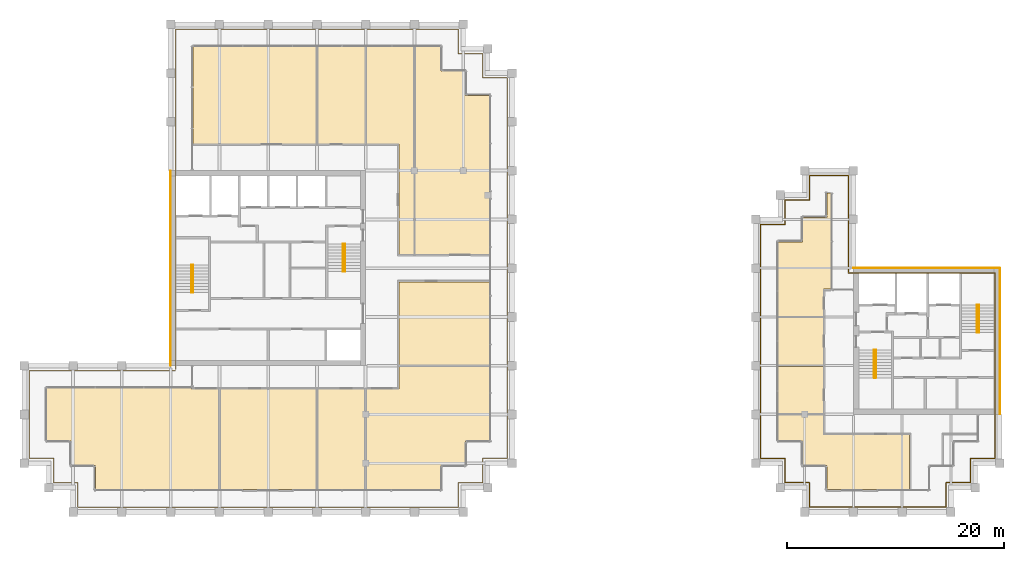
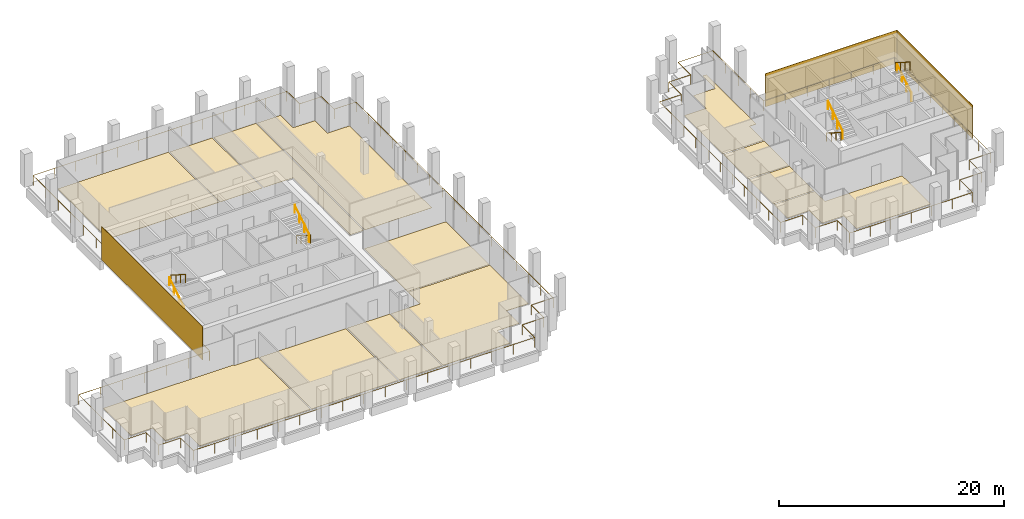
# One storey, part 40 of 40: 16 coverings, 10 railings.
"""IFC4 building model written with IfcOpenShell, lengths in metres."""

from ifc_helpers import new_model, si_unit, direction, frame, origin, origin_2d, place, context, subcontext, project, spatial, polyline, rectangle, circle, outline, extrude, source, transform, mapped, material, layer, layer_set, type_object, element, save


model = new_model("IFC4")

# Units and contexts
model_context = context("Model", 3, precision=1e-05, world=origin(), true_north=direction((0.0, 1.0)))
body_context = subcontext(model_context, "Body", "Model", "MODEL_VIEW")
ifc_project = project(units=[si_unit("LENGTHUNIT", "METRE"), si_unit("AREAUNIT", "SQUARE_METRE"), si_unit("VOLUMEUNIT", "CUBIC_METRE"), si_unit("PLANEANGLEUNIT", "RADIAN"), si_unit("MASSUNIT", "GRAM", prefix="KILO")], contexts=[model_context])

# Site, building, storey
site_placement = place(None, origin())
site = spatial("IfcSite", under=ifc_project, at=site_placement, CompositionType="ELEMENT")
building_placement = place(site_placement, origin())
building = spatial("IfcBuilding", under=site, at=building_placement, Name="Altepetl Exchange Towers", CompositionType="ELEMENT")
storey_placement = place(building_placement, frame((0.0, 0.0, 202.800048828125)))
storey = spatial("IfcBuildingStorey", under=building, at=storey_placement, Name="L51", CompositionType="ELEMENT", Elevation=202.800048828125)

# Coverings
ifc_material_1 = material(Name="Carpet tile")
ifc_layer_1 = layer(ifc_material_1, 0.02001953125)
ifc_layer_set_1 = layer_set([ifc_layer_1], Name="Carpet tile")
covering_type_1 = type_object("IfcCoveringType", Name="Carpet tile floor", PredefinedType="FLOORING", material=ifc_layer_set_1)
covering_1_placement = place(storey_placement, origin())
element("IfcCovering", 1, at=covering_1_placement, inside=storey, type_object=covering_type_1, Name="Open office floor finish A51.02", PredefinedType="FLOORING", context=body_context, shape_type="SweptSolid", body=[
    extrude(outline(polyline([(45.0625, 38.33740234375), (45.0625, 29.0625), (53.9375, 29.0625), (53.9375, 38.33740234375), (45.0625, 38.33740234375)])), origin(), (0.0, 0.0, 1.0), 0.02001953125),
])
covering_2_placement = place(storey_placement, origin())
element("IfcCovering", 2, at=covering_2_placement, inside=storey, type_object=covering_type_1, Name="Open office floor finish A51.06", PredefinedType="FLOORING", context=body_context, shape_type="SweptSolid", body=[
    extrude(outline(polyline([(65.4375, 67.6875), (65.4375, 69.9375), (63.0625, 69.9375), (63.0625, 50.762451171875), (69.9375, 50.762451171875), (69.9375, 65.4375), (67.6875, 65.4375), (67.6875, 67.6875), (65.4375, 67.6875)])), origin(), (0.0, 0.0, 1.0), 0.02001953125),
])
covering_3_placement = place(storey_placement, origin())
element("IfcCovering", 3, at=covering_3_placement, inside=storey, type_object=covering_type_1, Name="Meeting room floor finish A51.07", PredefinedType="FLOORING", context=body_context, shape_type="SweptSolid", body=[
    extrude(outline(polyline([(62.9375, 50.762451171875), (62.9375, 69.9375), (58.5625, 69.9375), (58.5625, 60.96240234375), (61.5625, 60.96240234375), (61.5625, 50.762451171875), (62.9375, 50.762451171875)])), origin(), (0.0, 0.0, 1.0), 0.02001953125),
])
covering_4_placement = place(storey_placement, origin())
element("IfcCovering", 4, at=covering_4_placement, inside=storey, type_object=covering_type_1, Name="Pantry floor finish A51.08", PredefinedType="FLOORING", context=body_context, shape_type="SweptSolid", body=[
    extrude(outline(polyline([(58.4375, 60.96240234375), (58.4375, 69.9375), (54.0625, 69.9375), (54.0625, 60.96240234375), (58.4375, 60.96240234375)])), origin(), (0.0, 0.0, 1.0), 0.02001953125),
])
covering_5_placement = place(storey_placement, origin())
element("IfcCovering", 5, at=covering_5_placement, inside=storey, type_object=covering_type_1, Name="Fund office floor finish B51.01", PredefinedType="FLOORING", context=body_context, shape_type="SweptSolid", body=[
    extrude(outline(polyline([(100.737548828125, 44.9375), (96.5625, 44.9375), (96.5625, 40.5625), (100.737548828125, 40.5625), (100.737548828125, 44.9375)])), origin(), (0.0, 0.0, 1.0), 0.02001953125),
])
covering_6_placement = place(storey_placement, origin())
element("IfcCovering", 6, at=covering_6_placement, inside=storey, type_object=covering_type_1, Name="Fund office floor finish B51.02", PredefinedType="FLOORING", context=body_context, shape_type="SweptSolid", body=[
    extrude(outline(polyline([(100.737548828125, 40.4375), (96.5625, 40.4375), (96.5625, 36.0625), (100.737548828125, 36.0625), (100.737548828125, 40.4375)])), origin(), (0.0, 0.0, 1.0), 0.02001953125),
])
covering_7_placement = place(storey_placement, origin())
element("IfcCovering", 7, at=covering_7_placement, inside=storey, type_object=covering_type_1, Name="Wealth office floor finish B51.03", PredefinedType="FLOORING", context=body_context, shape_type="SweptSolid", body=[
    extrude(outline(polyline([(100.737548828125, 34.137451171875), (100.737548828125, 35.9375), (96.5625, 35.9375), (96.5625, 33.5625), (98.8125, 33.5625), (98.8125, 31.3125), (101.0625, 31.3125), (101.0625, 29.0625), (108.6875, 29.0625), (108.6875, 34.137451171875), (100.737548828125, 34.137451171875)])), origin(), (0.0, 0.0, 1.0), 0.02001953125),
])
covering_8_placement = place(storey_placement, origin())
element("IfcCovering", 8, at=covering_8_placement, inside=storey, type_object=covering_type_1, Name="Family office floor finish B51.04", PredefinedType="FLOORING", context=body_context, shape_type="SweptSolid", body=[
    extrude(outline(polyline([(96.5625, 51.9375), (96.5625, 45.0625), (100.737548828125, 45.0625), (100.737548828125, 47.5625), (101.4375, 47.5625), (101.4375, 56.4375), (101.0625, 56.4375), (101.0625, 54.1875), (98.8125, 54.1875), (98.8125, 51.9375), (96.5625, 51.9375)])), origin(), (0.0, 0.0, 1.0), 0.02001953125),
])
ifc_material_2 = material(Name="Calcium sulphate access floor panel")
ifc_layer_2 = layer(ifc_material_2, 0.0400390625)
ifc_layer_set_2 = layer_set([ifc_layer_2], Name="Calcium sulphate access floor panel")
covering_type_2 = type_object("IfcCoveringType", Name="Raised access floor panels", PredefinedType="FLOORING", material=ifc_layer_set_2)
covering_9_placement = place(storey_placement, origin())
element("IfcCovering", 9, at=covering_9_placement, inside=storey, type_object=covering_type_2, Name="Broker office floor finish A51.01", PredefinedType="FLOORING", context=body_context, shape_type="SweptSolid", body=[
    extrude(outline(polyline([(33.5625, 29.0625), (44.9375, 29.0625), (44.9375, 38.33740234375), (42.4375, 38.33740234375), (42.4375, 38.4375), (29.0625, 38.4375), (29.0625, 33.5625), (31.3125, 33.5625), (31.3125, 31.3125), (33.5625, 31.3125), (33.5625, 29.0625)])), origin(), (0.0, 0.0, 1.0), 0.0400390625),
])
covering_10_placement = place(storey_placement, origin())
element("IfcCovering", 10, at=covering_10_placement, inside=storey, type_object=covering_type_2, Name="Data room floor finish A51.03", PredefinedType="FLOORING", context=body_context, shape_type="SweptSolid", body=[
    extrude(outline(polyline([(54.0625, 29.0625), (58.4375, 29.0625), (58.4375, 38.33740234375), (54.0625, 38.33740234375), (54.0625, 29.0625)])), origin(), (0.0, 0.0, 1.0), 0.0400390625),
])
covering_11_placement = place(storey_placement, origin())
element("IfcCovering", 11, at=covering_11_placement, inside=storey, type_object=covering_type_2, Name="Treasury office floor finish A51.04", PredefinedType="FLOORING", context=body_context, shape_type="SweptSolid", body=[
    extrude(outline(polyline([(58.5625, 38.33740234375), (58.5625, 29.0625), (65.4375, 29.0625), (65.4375, 31.3125), (67.6875, 31.3125), (67.6875, 33.5625), (69.9375, 33.5625), (69.9375, 40.4375), (61.5625, 40.4375), (61.5625, 38.33740234375), (58.5625, 38.33740234375)])), origin(), (0.0, 0.0, 1.0), 0.0400390625),
])
covering_12_placement = place(storey_placement, origin())
element("IfcCovering", 12, at=covering_12_placement, inside=storey, type_object=covering_type_2, Name="Treasury office floor finish A51.05", PredefinedType="FLOORING", context=body_context, shape_type="SweptSolid", body=[
    extrude(outline(polyline([(61.5625, 40.5625), (69.9375, 40.5625), (69.9375, 48.237548828125), (61.5625, 48.237548828125), (61.5625, 40.5625)])), origin(), (0.0, 0.0, 1.0), 0.0400390625),
])
covering_13_placement = place(storey_placement, origin())
element("IfcCovering", 13, at=covering_13_placement, inside=storey, type_object=covering_type_2, Name="Broker office floor finish A51.09", PredefinedType="FLOORING", context=body_context, shape_type="SweptSolid", body=[
    extrude(outline(polyline([(53.9375, 60.96240234375), (53.9375, 69.9375), (42.5625, 69.9375), (42.5625, 60.96240234375), (53.9375, 60.96240234375)])), origin(), (0.0, 0.0, 1.0), 0.0400390625),
])
ifc_material_3 = material(Name="Cantera limestone cladding", Category="masonry")
ifc_layer_3 = layer(ifc_material_3, 0.0400390625)
ifc_layer_set_3 = layer_set([ifc_layer_3], Name="Cantera limestone cladding")
covering_type_3 = type_object("IfcCoveringType", Name="Stone panel 40 cantera", PredefinedType="CLADDING", material=ifc_layer_set_3)
covering_14_placement = place(storey_placement, frame((40.47998046875, 49.5, 0.0), z_axis=(0.0, 0.0, 1.0), x_axis=(0.0, -1.0, 0.0)))
element("IfcCovering", 14, at=covering_14_placement, inside=storey, type_object=covering_type_3, Name="Stone cladding panel", PredefinedType="CLADDING", context=body_context, shape_type="SweptSolid", body=[
    extrude(rectangle(XDim=18.0, YDim=0.0400390625, at=origin_2d()), origin(), (0.0, 0.0, 1.0), 3.60009765625),
])
for number, where, z_axis, x_axis, name in (
    (15, (117.02001953125, 42.75, 0.0), (0.0, 0.0, 1.0), (0.0, 1.0, 0.0), "Stone cladding panel"),
    (16, (110.25, 49.52001953125, 0.0), (0.0, 0.0, 1.0), (-1.0, 0.0, 0.0), "Stone cladding panel"),
):
    element("IfcCovering", number, at=place(storey_placement, frame(where, z_axis=z_axis, x_axis=x_axis)), inside=storey, type_object=covering_type_3, Name=name, PredefinedType="CLADDING", context=body_context, shape_type="SweptSolid", body=[
        extrude(rectangle(XDim=13.5, YDim=0.0400390625, at=origin_2d()), origin(), (0.0, 0.0, 1.0), 3.60009765625),
    ])

# Railings
ifc_material_4 = material(Name="Steel S355", Category="steel")
railing_type_1 = type_object("IfcRailingType", Name="Guard 1100 steel posts and rail", PredefinedType="GUARDRAIL", material=ifc_material_4)
shared_shape_1 = source(origin(), body_context, "Body", "SweptSolid", [
    extrude(circle(Radius=0.02099609375, at=origin_2d()), origin(), (0.0, 0.0, 1.0), 1.052001953125),
])
railing_1_placement = place(storey_placement, frame((40.949951171875, 40.050048828125, 0.0)))
element("IfcRailing", 17, at=railing_1_placement, inside=storey, type_object=railing_type_1, Name="Loggia guard", PredefinedType="GUARDRAIL", context=body_context, shape_type="SweptSolid", body=[
    extrude(circle(Radius=0.02392578125, at=origin_2d()), frame((0.0, 0.0, 1.076171875), z_axis=(-1.0, 0.0, 0.0), x_axis=(0.0, -1.0, 0.0)), (0.0, 0.0, 1.0), 13.5),
    extrude(circle(Radius=0.02392578125, at=origin_2d()), frame((-13.5, 0.0, 1.076171875), z_axis=(0.0, -1.0, 0.0), x_axis=(1.0, 0.0, 0.0)), (0.0, 0.0, 1.0), 8.10009765625),
    extrude(circle(Radius=0.02392578125, at=origin_2d()), frame((-13.5, -8.10009765625, 1.076171875), z_axis=(1.0, 0.0, 0.0), x_axis=(0.0, 1.0, 0.0)), (0.0, 0.0, 1.0), 2.25),
    extrude(circle(Radius=0.02392578125, at=origin_2d()), frame((-11.25, -8.10009765625, 1.076171875), z_axis=(0.0, -1.0, 0.0), x_axis=(1.0, 0.0, 0.0)), (0.0, 0.0, 1.0), 2.25),
    extrude(circle(Radius=0.02392578125, at=origin_2d()), frame((-11.25, -10.35009765625, 1.076171875), z_axis=(1.0, 0.0, 0.0), x_axis=(0.0, 1.0, 0.0)), (0.0, 0.0, 1.0), 2.25),
    extrude(circle(Radius=0.02392578125, at=origin_2d()), frame((-9.0, -10.35009765625, 1.076171875), z_axis=(0.0, -1.0, 0.0), x_axis=(1.0, 0.0, 0.0)), (0.0, 0.0, 1.0), 2.25),
    extrude(circle(Radius=0.02392578125, at=origin_2d()), frame((-9.0, -12.60009765625, 1.076171875), z_axis=(1.0, 0.0, 0.0), x_axis=(0.0, 1.0, 0.0)), (0.0, 0.0, 1.0), 35.10009765625),
    extrude(circle(Radius=0.02392578125, at=origin_2d()), frame((26.10009765625, -12.60009765625, 1.076171875), z_axis=(0.0, 1.0, 0.0), x_axis=(-1.0, 0.0, 0.0)), (0.0, 0.0, 1.0), 2.25),
    extrude(circle(Radius=0.02392578125, at=origin_2d()), frame((26.10009765625, -10.35009765625, 1.076171875), z_axis=(1.0, 0.0, 0.0), x_axis=(0.0, 1.0, 0.0)), (0.0, 0.0, 1.0), 2.25),
    extrude(circle(Radius=0.02392578125, at=origin_2d()), frame((28.35009765625, -10.35009765625, 1.076171875), z_axis=(0.0, 1.0, 0.0), x_axis=(-1.0, 0.0, 0.0)), (0.0, 0.0, 1.0), 2.25),
    extrude(circle(Radius=0.02392578125, at=origin_2d()), frame((28.35009765625, -8.10009765625, 1.076171875), z_axis=(1.0, 0.0, 0.0), x_axis=(0.0, 1.0, 0.0)), (0.0, 0.0, 1.0), 2.25),
    extrude(circle(Radius=0.02392578125, at=origin_2d()), frame((30.60009765625, -8.10009765625, 1.076171875), z_axis=(0.0, 1.0, 0.0), x_axis=(-1.0, 0.0, 0.0)), (0.0, 0.0, 1.0), 35.10009765625),
    extrude(circle(Radius=0.02392578125, at=origin_2d()), frame((30.60009765625, 27.0, 1.076171875), z_axis=(-1.0, 0.0, 0.0), x_axis=(0.0, -1.0, 0.0)), (0.0, 0.0, 1.0), 2.25),
    extrude(circle(Radius=0.02392578125, at=origin_2d()), frame((28.35009765625, 27.0, 1.076171875), z_axis=(0.0, 1.0, 0.0), x_axis=(-1.0, 0.0, 0.0)), (0.0, 0.0, 1.0), 2.25),
    extrude(circle(Radius=0.02392578125, at=origin_2d()), frame((28.35009765625, 29.25, 1.076171875), z_axis=(-1.0, 0.0, 0.0), x_axis=(0.0, -1.0, 0.0)), (0.0, 0.0, 1.0), 2.25),
    extrude(circle(Radius=0.02392578125, at=origin_2d()), frame((26.10009765625, 29.25, 1.076171875), z_axis=(0.0, 1.0, 0.0), x_axis=(-1.0, 0.0, 0.0)), (0.0, 0.0, 1.0), 2.25),
    extrude(circle(Radius=0.02392578125, at=origin_2d()), frame((26.10009765625, 31.5, 1.076171875), z_axis=(-1.0, 0.0, 0.0), x_axis=(0.0, -1.0, 0.0)), (0.0, 0.0, 1.0), 26.10009765625),
    extrude(circle(Radius=0.02392578125, at=origin_2d()), frame((0.0, 31.5, 1.076171875), z_axis=(0.0, -1.0, 0.0), x_axis=(1.0, 0.0, 0.0)), (0.0, 0.0, 1.0), 31.400146484375),
    mapped(shared_shape_1, transform((0.0, 0.0, 0.0))),
    mapped(shared_shape_1, transform((-2.25, 0.0, 0.0))),
    mapped(shared_shape_1, transform((-4.5, 0.0, 0.0))),
    mapped(shared_shape_1, transform((-6.75, 0.0, 0.0))),
    mapped(shared_shape_1, transform((-9.0, 0.0, 0.0))),
    mapped(shared_shape_1, transform((-11.25, 0.0, 0.0))),
    mapped(shared_shape_1, transform((-13.5, 0.0, 0.0))),
    mapped(shared_shape_1, transform((-13.5, -2.02490234375, 0.0))),
    mapped(shared_shape_1, transform((-13.5, -4.050048828125, 0.0))),
    mapped(shared_shape_1, transform((-13.5, -6.0751953125, 0.0))),
    mapped(shared_shape_1, transform((-13.5, -8.10009765625, 0.0))),
    mapped(shared_shape_1, transform((-11.25, -8.10009765625, 0.0))),
    mapped(shared_shape_1, transform((-11.25, -10.35009765625, 0.0))),
    mapped(shared_shape_1, transform((-9.0, -10.35009765625, 0.0))),
    mapped(shared_shape_1, transform((-9.0, -12.60009765625, 0.0))),
    mapped(shared_shape_1, transform((-6.80615234375, -12.60009765625, 0.0))),
    mapped(shared_shape_1, transform((-4.612548828125, -12.60009765625, 0.0))),
    mapped(shared_shape_1, transform((-2.418701171875, -12.60009765625, 0.0))),
    mapped(shared_shape_1, transform((-0.22509765625, -12.60009765625, 0.0))),
    mapped(shared_shape_1, transform((1.96875, -12.60009765625, 0.0))),
    mapped(shared_shape_1, transform((4.16259765625, -12.60009765625, 0.0))),
    mapped(shared_shape_1, transform((6.356201171875, -12.60009765625, 0.0))),
    mapped(shared_shape_1, transform((8.550048828125, -12.60009765625, 0.0))),
    mapped(shared_shape_1, transform((10.743896484375, -12.60009765625, 0.0))),
    mapped(shared_shape_1, transform((12.9375, -12.60009765625, 0.0))),
    mapped(shared_shape_1, transform((15.13134765625, -12.60009765625, 0.0))),
    mapped(shared_shape_1, transform((17.3251953125, -12.60009765625, 0.0))),
    mapped(shared_shape_1, transform((19.518798828125, -12.60009765625, 0.0))),
    mapped(shared_shape_1, transform((21.712646484375, -12.60009765625, 0.0))),
    mapped(shared_shape_1, transform((23.90625, -12.60009765625, 0.0))),
    mapped(shared_shape_1, transform((26.10009765625, -12.60009765625, 0.0))),
    mapped(shared_shape_1, transform((26.10009765625, -10.35009765625, 0.0))),
    mapped(shared_shape_1, transform((28.35009765625, -10.35009765625, 0.0))),
    mapped(shared_shape_1, transform((28.35009765625, -8.10009765625, 0.0))),
    mapped(shared_shape_1, transform((30.60009765625, -8.10009765625, 0.0))),
    mapped(shared_shape_1, transform((30.60009765625, -5.90625, 0.0))),
    mapped(shared_shape_1, transform((30.60009765625, -3.712646484375, 0.0))),
    mapped(shared_shape_1, transform((30.60009765625, -1.518798828125, 0.0))),
    mapped(shared_shape_1, transform((30.60009765625, 0.6748046875, 0.0))),
    mapped(shared_shape_1, transform((30.60009765625, 2.86865234375, 0.0))),
    mapped(shared_shape_1, transform((30.60009765625, 5.0625, 0.0))),
    mapped(shared_shape_1, transform((30.60009765625, 7.256103515625, 0.0))),
    mapped(shared_shape_1, transform((30.60009765625, 9.449951171875, 0.0))),
    mapped(shared_shape_1, transform((30.60009765625, 11.643798828125, 0.0))),
    mapped(shared_shape_1, transform((30.60009765625, 13.83740234375, 0.0))),
    mapped(shared_shape_1, transform((30.60009765625, 16.03125, 0.0))),
    mapped(shared_shape_1, transform((30.60009765625, 18.22509765625, 0.0))),
    mapped(shared_shape_1, transform((30.60009765625, 20.418701171875, 0.0))),
    mapped(shared_shape_1, transform((30.60009765625, 22.612548828125, 0.0))),
    mapped(shared_shape_1, transform((30.60009765625, 24.80615234375, 0.0))),
    mapped(shared_shape_1, transform((30.60009765625, 27.0, 0.0))),
    mapped(shared_shape_1, transform((28.35009765625, 27.0, 0.0))),
    mapped(shared_shape_1, transform((28.35009765625, 29.25, 0.0))),
    mapped(shared_shape_1, transform((26.10009765625, 29.25, 0.0))),
    mapped(shared_shape_1, transform((26.10009765625, 31.5, 0.0))),
    mapped(shared_shape_1, transform((23.925048828125, 31.5, 0.0))),
    mapped(shared_shape_1, transform((21.75, 31.5, 0.0))),
    mapped(shared_shape_1, transform((19.5751953125, 31.5, 0.0))),
    mapped(shared_shape_1, transform((17.400146484375, 31.5, 0.0))),
    mapped(shared_shape_1, transform((15.22509765625, 31.5, 0.0))),
    mapped(shared_shape_1, transform((13.050048828125, 31.5, 0.0))),
    mapped(shared_shape_1, transform((10.875, 31.5, 0.0))),
    mapped(shared_shape_1, transform((8.699951171875, 31.5, 0.0))),
    mapped(shared_shape_1, transform((6.52490234375, 31.5, 0.0))),
    mapped(shared_shape_1, transform((4.35009765625, 31.5, 0.0))),
    mapped(shared_shape_1, transform((2.175048828125, 31.5, 0.0))),
    mapped(shared_shape_1, transform((0.0, 31.5, 0.0))),
    mapped(shared_shape_1, transform((0.0, 29.257080078125, 0.0))),
    mapped(shared_shape_1, transform((0.0, 27.01416015625, 0.0))),
    mapped(shared_shape_1, transform((0.0, 24.771484375, 0.0))),
    mapped(shared_shape_1, transform((0.0, 22.528564453125, 0.0))),
    mapped(shared_shape_1, transform((0.0, 20.28564453125, 0.0))),
    mapped(shared_shape_1, transform((0.0, 18.042724609375, 0.0))),
    mapped(shared_shape_1, transform((0.0, 15.7998046875, 0.0))),
    mapped(shared_shape_1, transform((0.0, 13.55712890625, 0.0))),
    mapped(shared_shape_1, transform((0.0, 11.314208984375, 0.0))),
    mapped(shared_shape_1, transform((0.0, 9.0712890625, 0.0))),
    mapped(shared_shape_1, transform((0.0, 6.828369140625, 0.0))),
    mapped(shared_shape_1, transform((0.0, 4.585693359375, 0.0))),
    mapped(shared_shape_1, transform((0.0, 2.3427734375, 0.0))),
    mapped(shared_shape_1, transform((0.0, 0.099853515625, 0.0))),
])
railing_2_placement = place(storey_placement, frame((99.449951171875, 27.449951171875, 0.0)))
element("IfcRailing", 18, at=railing_2_placement, inside=storey, type_object=railing_type_1, Name="Loggia guard", PredefinedType="GUARDRAIL", context=body_context, shape_type="SweptSolid", body=[
    extrude(circle(Radius=0.02392578125, at=origin_2d()), frame((0.0, 0.0, 1.076171875), z_axis=(1.0, 0.0, 0.0), x_axis=(0.0, 1.0, 0.0)), (0.0, 0.0, 1.0), 12.60009765625),
    extrude(circle(Radius=0.02392578125, at=origin_2d()), frame((12.60009765625, 0.0, 1.076171875), z_axis=(0.0, 1.0, 0.0), x_axis=(-1.0, 0.0, 0.0)), (0.0, 0.0, 1.0), 2.25),
    extrude(circle(Radius=0.02392578125, at=origin_2d()), frame((12.60009765625, 2.25, 1.076171875), z_axis=(1.0, 0.0, 0.0), x_axis=(0.0, 1.0, 0.0)), (0.0, 0.0, 1.0), 2.25),
    extrude(circle(Radius=0.02392578125, at=origin_2d()), frame((14.85009765625, 2.25, 1.076171875), z_axis=(0.0, 1.0, 0.0), x_axis=(-1.0, 0.0, 0.0)), (0.0, 0.0, 1.0), 2.25),
    extrude(circle(Radius=0.02392578125, at=origin_2d()), frame((14.85009765625, 4.5, 1.076171875), z_axis=(1.0, 0.0, 0.0), x_axis=(0.0, 1.0, 0.0)), (0.0, 0.0, 1.0), 2.25),
    extrude(circle(Radius=0.02392578125, at=origin_2d()), frame((17.10009765625, 4.5, 1.076171875), z_axis=(0.0, 1.0, 0.0), x_axis=(-1.0, 0.0, 0.0)), (0.0, 0.0, 1.0), 17.10009765625),
    extrude(circle(Radius=0.02392578125, at=origin_2d()), frame((17.10009765625, 21.60009765625, 1.076171875), z_axis=(-1.0, 0.0, 0.0), x_axis=(0.0, -1.0, 0.0)), (0.0, 0.0, 1.0), 13.5),
    extrude(circle(Radius=0.02392578125, at=origin_2d()), frame((3.60009765625, 21.60009765625, 1.076171875), z_axis=(0.0, 1.0, 0.0), x_axis=(-1.0, 0.0, 0.0)), (0.0, 0.0, 1.0), 9.0),
    extrude(circle(Radius=0.02392578125, at=origin_2d()), frame((3.60009765625, 30.60009765625, 1.076171875), z_axis=(-1.0, 0.0, 0.0), x_axis=(0.0, -1.0, 0.0)), (0.0, 0.0, 1.0), 3.60009765625),
    extrude(circle(Radius=0.02392578125, at=origin_2d()), frame((0.0, 30.60009765625, 1.076171875), z_axis=(0.0, -1.0, 0.0), x_axis=(1.0, 0.0, 0.0)), (0.0, 0.0, 1.0), 2.25),
    extrude(circle(Radius=0.02392578125, at=origin_2d()), frame((0.0, 28.35009765625, 1.076171875), z_axis=(-1.0, 0.0, 0.0), x_axis=(0.0, -1.0, 0.0)), (0.0, 0.0, 1.0), 2.25),
    extrude(circle(Radius=0.02392578125, at=origin_2d()), frame((-2.25, 28.35009765625, 1.076171875), z_axis=(0.0, -1.0, 0.0), x_axis=(1.0, 0.0, 0.0)), (0.0, 0.0, 1.0), 2.25),
    extrude(circle(Radius=0.02392578125, at=origin_2d()), frame((-2.25, 26.10009765625, 1.076171875), z_axis=(-1.0, 0.0, 0.0), x_axis=(0.0, -1.0, 0.0)), (0.0, 0.0, 1.0), 2.25),
    extrude(circle(Radius=0.02392578125, at=origin_2d()), frame((-4.5, 26.10009765625, 1.076171875), z_axis=(0.0, -1.0, 0.0), x_axis=(1.0, 0.0, 0.0)), (0.0, 0.0, 1.0), 21.60009765625),
    extrude(circle(Radius=0.02392578125, at=origin_2d()), frame((-4.5, 4.5, 1.076171875), z_axis=(1.0, 0.0, 0.0), x_axis=(0.0, 1.0, 0.0)), (0.0, 0.0, 1.0), 2.25),
    extrude(circle(Radius=0.02392578125, at=origin_2d()), frame((-2.25, 4.5, 1.076171875), z_axis=(0.0, -1.0, 0.0), x_axis=(1.0, 0.0, 0.0)), (0.0, 0.0, 1.0), 2.25),
    extrude(circle(Radius=0.02392578125, at=origin_2d()), frame((-2.25, 2.25, 1.076171875), z_axis=(1.0, 0.0, 0.0), x_axis=(0.0, 1.0, 0.0)), (0.0, 0.0, 1.0), 2.25),
    extrude(circle(Radius=0.02392578125, at=origin_2d()), frame((0.0, 2.25, 1.076171875), z_axis=(0.0, -1.0, 0.0), x_axis=(1.0, 0.0, 0.0)), (0.0, 0.0, 1.0), 2.14990234375),
    mapped(shared_shape_1, transform((0.0, 0.0, 0.0))),
    mapped(shared_shape_1, transform((2.10009765625, 0.0, 0.0))),
    mapped(shared_shape_1, transform((4.199951171875, 0.0, 0.0))),
    mapped(shared_shape_1, transform((6.300048828125, 0.0, 0.0))),
    mapped(shared_shape_1, transform((8.400146484375, 0.0, 0.0))),
    mapped(shared_shape_1, transform((10.5, 0.0, 0.0))),
    mapped(shared_shape_1, transform((12.60009765625, 0.0, 0.0))),
    mapped(shared_shape_1, transform((12.60009765625, 2.25, 0.0))),
    mapped(shared_shape_1, transform((14.85009765625, 2.25, 0.0))),
    mapped(shared_shape_1, transform((14.85009765625, 4.5, 0.0))),
    mapped(shared_shape_1, transform((17.10009765625, 4.5, 0.0))),
    mapped(shared_shape_1, transform((17.10009765625, 6.637451171875, 0.0))),
    mapped(shared_shape_1, transform((17.10009765625, 8.77490234375, 0.0))),
    mapped(shared_shape_1, transform((17.10009765625, 10.91259765625, 0.0))),
    mapped(shared_shape_1, transform((17.10009765625, 13.050048828125, 0.0))),
    mapped(shared_shape_1, transform((17.10009765625, 15.1875, 0.0))),
    mapped(shared_shape_1, transform((17.10009765625, 17.3251953125, 0.0))),
    mapped(shared_shape_1, transform((17.10009765625, 19.462646484375, 0.0))),
    mapped(shared_shape_1, transform((17.10009765625, 21.60009765625, 0.0))),
    mapped(shared_shape_1, transform((14.85009765625, 21.60009765625, 0.0))),
    mapped(shared_shape_1, transform((12.60009765625, 21.60009765625, 0.0))),
    mapped(shared_shape_1, transform((10.35009765625, 21.60009765625, 0.0))),
    mapped(shared_shape_1, transform((8.10009765625, 21.60009765625, 0.0))),
    mapped(shared_shape_1, transform((5.85009765625, 21.60009765625, 0.0))),
    mapped(shared_shape_1, transform((3.60009765625, 21.60009765625, 0.0))),
    mapped(shared_shape_1, transform((3.60009765625, 23.85009765625, 0.0))),
    mapped(shared_shape_1, transform((3.60009765625, 26.10009765625, 0.0))),
    mapped(shared_shape_1, transform((3.60009765625, 28.35009765625, 0.0))),
    mapped(shared_shape_1, transform((3.60009765625, 30.60009765625, 0.0))),
    mapped(shared_shape_1, transform((1.800048828125, 30.60009765625, 0.0))),
    mapped(shared_shape_1, transform((0.0, 30.60009765625, 0.0))),
    mapped(shared_shape_1, transform((0.0, 28.35009765625, 0.0))),
    mapped(shared_shape_1, transform((-2.25, 28.35009765625, 0.0))),
    mapped(shared_shape_1, transform((-2.25, 26.10009765625, 0.0))),
    mapped(shared_shape_1, transform((-4.5, 26.10009765625, 0.0))),
    mapped(shared_shape_1, transform((-4.5, 23.940185546875, 0.0))),
    mapped(shared_shape_1, transform((-4.5, 21.780029296875, 0.0))),
    mapped(shared_shape_1, transform((-4.5, 19.6201171875, 0.0))),
    mapped(shared_shape_1, transform((-4.5, 17.4599609375, 0.0))),
    mapped(shared_shape_1, transform((-4.5, 15.300048828125, 0.0))),
    mapped(shared_shape_1, transform((-4.5, 13.14013671875, 0.0))),
    mapped(shared_shape_1, transform((-4.5, 10.97998046875, 0.0))),
    mapped(shared_shape_1, transform((-4.5, 8.820068359375, 0.0))),
    mapped(shared_shape_1, transform((-4.5, 6.659912109375, 0.0))),
    mapped(shared_shape_1, transform((-4.5, 4.5, 0.0))),
    mapped(shared_shape_1, transform((-2.25, 4.5, 0.0))),
    mapped(shared_shape_1, transform((-2.25, 2.25, 0.0))),
    mapped(shared_shape_1, transform((0.0, 2.25, 0.0))),
    mapped(shared_shape_1, transform((0.0, 0.10009765625, 0.0))),
])
ifc_material_5 = material(Name="Steel", Category="steel")
railing_type_2 = type_object("IfcRailingType", Name="Stair handrail 50 steel tube", PredefinedType="HANDRAIL", material=ifc_material_5)
shared_shape_2 = source(origin(), body_context, "Body", "SweptSolid", [
    extrude(circle(Radius=0.02099609375, at=origin_2d()), origin(), (0.0, 0.0, 1.0), 0.851806640625),
])
railing_3_placement = place(storey_placement, frame((42.419921875, 47.25, 0.179931640625)))
element("IfcRailing", 19, at=railing_3_placement, inside=storey, type_object=railing_type_2, Name="Stair handrail", PredefinedType="HANDRAIL", context=body_context, shape_type="SweptSolid", body=[
    extrude(circle(Radius=0.02392578125, at=origin_2d()), frame((0.0, 0.0, 0.8759765625), z_axis=(0.0, 0.845465955043, 0.534029323973), x_axis=(-1.0, 0.0, 0.0)), (0.0, 0.0, 1.0), 3.03369140625),
    mapped(shared_shape_2, transform((0.0, 0.0, 0.0))),
    mapped(shared_shape_2, transform((0.0, 0.85498046875, 0.5400390625))),
    mapped(shared_shape_2, transform((0.0, 1.7099609375, 1.080078125))),
    mapped(shared_shape_2, transform((0.0, 2.56494140625, 1.6201171875))),
])
railing_4_placement = place(storey_placement, frame((42.580078125, 49.81494140625, 1.97998046875)))
element("IfcRailing", 20, at=railing_4_placement, inside=storey, type_object=railing_type_2, Name="Stair handrail", PredefinedType="HANDRAIL", context=body_context, shape_type="SweptSolid", body=[
    extrude(circle(Radius=0.02392578125, at=origin_2d()), frame((0.0, 0.0, 0.8759765625), z_axis=(0.0, -0.845502289212, 0.533971796014), x_axis=(1.0, 0.0, 0.0)), (0.0, 0.0, 1.0), 3.03369140625),
    mapped(shared_shape_2, transform((0.0, 0.0, 0.0))),
    mapped(shared_shape_2, transform((0.0, -0.85498046875, 0.5400390625))),
    mapped(shared_shape_2, transform((0.0, -1.7099609375, 1.079833984375))),
    mapped(shared_shape_2, transform((0.0, -2.56494140625, 1.619873046875))),
])
railing_5_placement = place(storey_placement, frame((56.580078125, 51.75, 0.179931640625)))
element("IfcRailing", 21, at=railing_5_placement, inside=storey, type_object=railing_type_2, Name="Stair handrail", PredefinedType="HANDRAIL", context=body_context, shape_type="SweptSolid", body=[
    extrude(circle(Radius=0.02392578125, at=origin_2d()), frame((0.0, 0.0, 0.8759765625), z_axis=(0.0, -0.845465955043, 0.534029323973), x_axis=(1.0, 0.0, 0.0)), (0.0, 0.0, 1.0), 3.03369140625),
    mapped(shared_shape_2, transform((0.0, 0.0, 0.0))),
    mapped(shared_shape_2, transform((0.0, -0.85498046875, 0.5400390625))),
    mapped(shared_shape_2, transform((0.0, -1.7099609375, 1.080078125))),
    mapped(shared_shape_2, transform((0.0, -2.56494140625, 1.6201171875))),
])
railing_6_placement = place(storey_placement, frame((56.419921875, 49.18505859375, 1.97998046875)))
element("IfcRailing", 22, at=railing_6_placement, inside=storey, type_object=railing_type_2, Name="Stair handrail", PredefinedType="HANDRAIL", context=body_context, shape_type="SweptSolid", body=[
    extrude(circle(Radius=0.02392578125, at=origin_2d()), frame((0.0, 0.0, 0.8759765625), z_axis=(0.0, 0.845502289212, 0.533971796014), x_axis=(-1.0, 0.0, 0.0)), (0.0, 0.0, 1.0), 3.03369140625),
    mapped(shared_shape_2, transform((0.0, 0.0, 0.0))),
    mapped(shared_shape_2, transform((0.0, 0.85498046875, 0.5400390625))),
    mapped(shared_shape_2, transform((0.0, 1.7099609375, 1.079833984375))),
    mapped(shared_shape_2, transform((0.0, 2.56494140625, 1.619873046875))),
])
railing_7_placement = place(storey_placement, frame((105.419921875, 41.949951171875, 0.179931640625)))
element("IfcRailing", 23, at=railing_7_placement, inside=storey, type_object=railing_type_2, Name="Stair handrail", PredefinedType="HANDRAIL", context=body_context, shape_type="SweptSolid", body=[
    extrude(circle(Radius=0.02392578125, at=origin_2d()), frame((0.0, 0.0, 0.8759765625), z_axis=(0.0, -0.845465955043, 0.534029323973), x_axis=(1.0, 0.0, 0.0)), (0.0, 0.0, 1.0), 3.03369140625),
    mapped(shared_shape_2, transform((0.0, 0.0, 0.0))),
    mapped(shared_shape_2, transform((0.0, -0.85498046875, 0.5400390625))),
    mapped(shared_shape_2, transform((0.0, -1.7099609375, 1.080078125))),
    mapped(shared_shape_2, transform((0.0, -2.56494140625, 1.6201171875))),
])
railing_8_placement = place(storey_placement, frame((105.580078125, 39.385009765625, 1.97998046875)))
element("IfcRailing", 24, at=railing_8_placement, inside=storey, type_object=railing_type_2, Name="Stair handrail", PredefinedType="HANDRAIL", context=body_context, shape_type="SweptSolid", body=[
    extrude(circle(Radius=0.02392578125, at=origin_2d()), frame((0.0, 0.0, 0.8759765625), z_axis=(0.0, 0.845502289212, 0.533971796014), x_axis=(-1.0, 0.0, 0.0)), (0.0, 0.0, 1.0), 3.03369140625),
    mapped(shared_shape_2, transform((0.0, 0.0, 0.0))),
    mapped(shared_shape_2, transform((0.0, 0.85498046875, 0.5400390625))),
    mapped(shared_shape_2, transform((0.0, 1.7099609375, 1.079833984375))),
    mapped(shared_shape_2, transform((0.0, 2.56494140625, 1.619873046875))),
])
railing_9_placement = place(storey_placement, frame((115.080078125, 43.550048828125, 0.179931640625)))
element("IfcRailing", 25, at=railing_9_placement, inside=storey, type_object=railing_type_2, Name="Stair handrail", PredefinedType="HANDRAIL", context=body_context, shape_type="SweptSolid", body=[
    extrude(circle(Radius=0.02392578125, at=origin_2d()), frame((0.0, 0.0, 0.8759765625), z_axis=(0.0, 0.845465955043, 0.534029323973), x_axis=(-1.0, 0.0, 0.0)), (0.0, 0.0, 1.0), 3.03369140625),
    mapped(shared_shape_2, transform((0.0, 0.0, 0.0))),
    mapped(shared_shape_2, transform((0.0, 0.85498046875, 0.5400390625))),
    mapped(shared_shape_2, transform((0.0, 1.7099609375, 1.080078125))),
    mapped(shared_shape_2, transform((0.0, 2.56494140625, 1.6201171875))),
])
railing_10_placement = place(storey_placement, frame((114.919921875, 46.114990234375, 1.97998046875)))
element("IfcRailing", 26, at=railing_10_placement, inside=storey, type_object=railing_type_2, Name="Stair handrail", PredefinedType="HANDRAIL", context=body_context, shape_type="SweptSolid", body=[
    extrude(circle(Radius=0.02392578125, at=origin_2d()), frame((0.0, 0.0, 0.8759765625), z_axis=(0.0, -0.845502289212, 0.533971796014), x_axis=(1.0, 0.0, 0.0)), (0.0, 0.0, 1.0), 3.03369140625),
    mapped(shared_shape_2, transform((0.0, 0.0, 0.0))),
    mapped(shared_shape_2, transform((0.0, -0.85498046875, 0.5400390625))),
    mapped(shared_shape_2, transform((0.0, -1.7099609375, 1.079833984375))),
    mapped(shared_shape_2, transform((0.0, -2.56494140625, 1.619873046875))),
])

save(model, "model.ifc")
